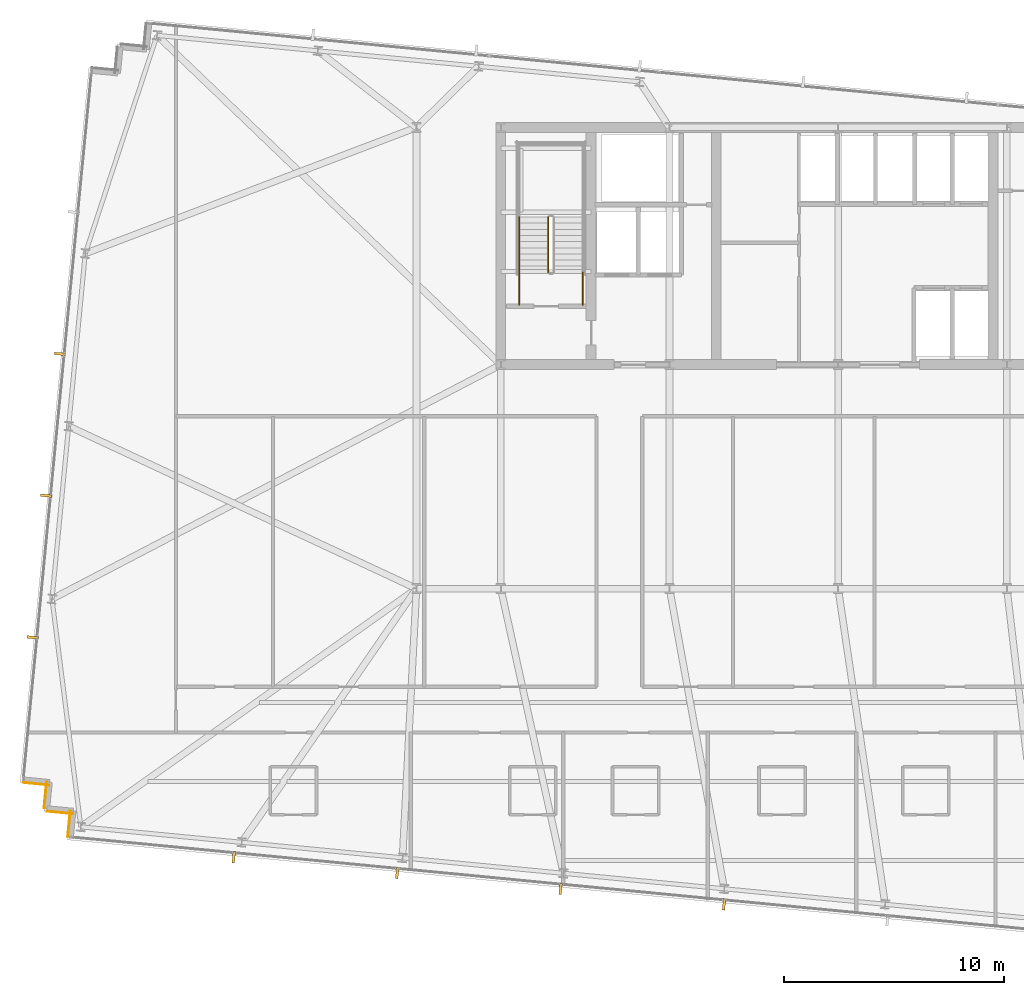
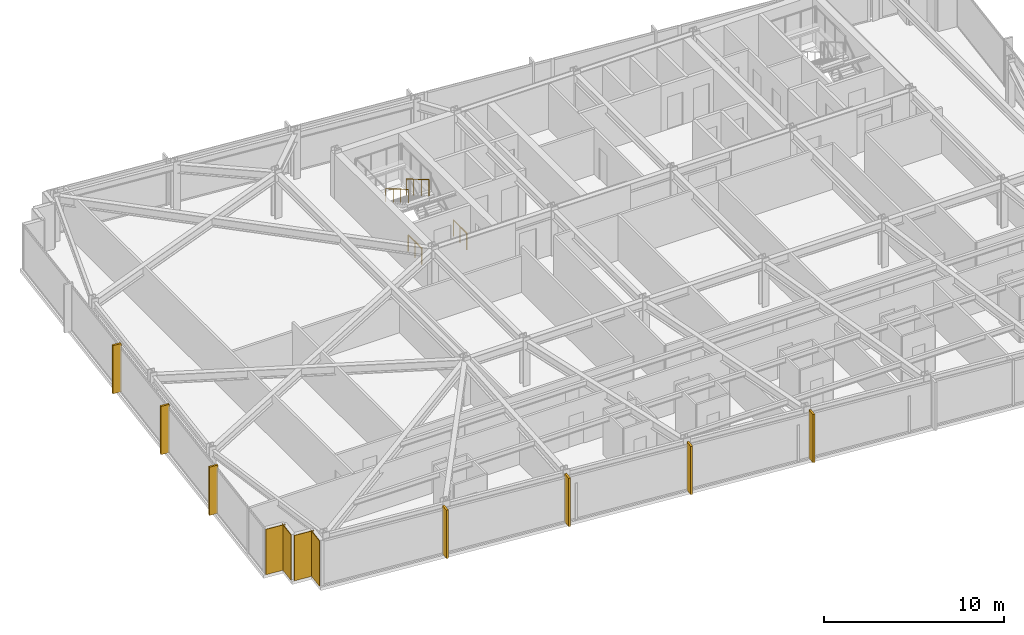
# One storey, part 32 of 36: 7 shading devices, 4 coverings, 4 railings.
"""IFC4 building model written with IfcOpenShell, lengths in metres."""

from ifc_helpers import new_model, si_unit, direction, frame, frame_2d, origin, origin_2d, place, context, subcontext, project, spatial, rectangle, circle, extrude, material, layer, layer_set, type_object, element, save


model = new_model("IFC4")

# Units and contexts
model_context = context("Model", 3, precision=1e-05, world=origin(), true_north=direction((0.0, 1.0)))
body_context = subcontext(model_context, "Body", "Model", "MODEL_VIEW")
ifc_project = project(units=[si_unit("LENGTHUNIT", "METRE"), si_unit("AREAUNIT", "SQUARE_METRE"), si_unit("VOLUMEUNIT", "CUBIC_METRE"), si_unit("PLANEANGLEUNIT", "RADIAN"), si_unit("MASSUNIT", "GRAM", prefix="KILO")], contexts=[model_context])

# Site, building, storey
site_placement = place(None, origin())
site = spatial("IfcSite", under=ifc_project, at=site_placement, CompositionType="ELEMENT")
building_placement = place(site_placement, origin())
building = spatial("IfcBuilding", under=site, at=building_placement, Name="Yelkora Congress Tower", CompositionType="ELEMENT")
storey_placement = place(building_placement, frame((0.0, 0.0, 152.300048828125)))
storey = spatial("IfcBuildingStorey", under=building, at=storey_placement, Name="L41", CompositionType="ELEMENT", Elevation=152.300048828125)

# Coverings
ifc_material_1 = material(Name="Anatolian bush-hammered limestone", Category="masonry")
ifc_layer_1 = layer(ifc_material_1, 0.0400390625)
ifc_layer_set_1 = layer_set([ifc_layer_1], Name="Anatolian bush-hammered limestone")
covering_type = type_object("IfcCoveringType", Name="COV-CLAD-SPANDREL-40", PredefinedType="CLADDING", material=ifc_layer_set_1)
covering_1_placement = place(storey_placement, frame((3.327880859375, 13.90185546875, 0.0), z_axis=(0.0, 0.0, 1.0), x_axis=(0.095817067274, 0.995398960025, 0.0)))
element("IfcCovering", 1, at=covering_1_placement, inside=storey, type_object=covering_type, Name="L41 Anatolian Limestone Cladding EW-L41-SR01", PredefinedType="CLADDING", context=body_context, shape_type="SweptSolid", body=[
    extrude(rectangle(XDim=1.2001953125, YDim=0.0400390625, at=frame_2d((0.60009765625, 0.0))), origin(), (0.0, 0.0, 1.0), 3.079833984375),
])
covering_2_placement = place(storey_placement, frame((3.564208984375, 14.94921875, 0.0), z_axis=(0.0, 0.0, 1.0), x_axis=(-0.995397091755, 0.095836473879, 0.0)))
element("IfcCovering", 2, at=covering_2_placement, inside=storey, type_object=covering_type, Name="L41 Anatolian Limestone Cladding EW-L41-SR02", PredefinedType="CLADDING", context=body_context, shape_type="SweptSolid", body=[
    extrude(rectangle(XDim=1.199951171875, YDim=0.0400390625, at=frame_2d((0.60009765625, 0.0))), origin(), (0.0, 0.0, 1.0), 3.079833984375),
])
for number, where, z_axis, x_axis, name in (
    (3, (2.248291015625, 15.21142578125, 0.0), (0.0, 0.0, 1.0), (0.095817067274, 0.995398960025, 0.0), "L41 Anatolian Limestone Cladding EW-L41-SR03"),
    (4, (2.48486328125, 16.258544921875, 0.0), (0.0, 0.0, 1.0), (-0.995398960025, 0.095817067274, 0.0), "L41 Anatolian Limestone Cladding EW-L41-SR04"),
):
    element("IfcCovering", number, at=place(storey_placement, frame(where, z_axis=z_axis, x_axis=x_axis)), inside=storey, type_object=covering_type, Name=name, PredefinedType="CLADDING", context=body_context, shape_type="SweptSolid", body=[
        extrude(rectangle(XDim=1.2001953125, YDim=0.0400390625, at=frame_2d((0.60009765625, 0.0))), origin(), (0.0, 0.0, 1.0), 3.079833984375),
    ])

# Railings
ifc_material_2 = material(Name="Painted galvanised steel stair well guard with vertical infill", Category="steel")
ifc_layer_2 = layer(ifc_material_2, 0.06005859375)
ifc_layer_set_2 = layer_set([ifc_layer_2], Name="Painted galvanised steel stair well guard with vertical infill")
railing_type_1 = type_object("IfcRailingType", Name="RAIL-STAIR-GUARD-1120", PredefinedType="GUARDRAIL", material=ifc_layer_set_2)
railing_1_placement = place(storey_placement, frame((25.18994140625, 42.1201171875, 1.81494140625)))
element("IfcRailing", 5, at=railing_1_placement, inside=storey, type_object=railing_type_1, Name="ST-01 L41 Stair Well Guardrail 6", PredefinedType="GUARDRAIL", context=body_context, shape_type="SweptSolid", body=[
    extrude(circle(Radius=0.02392578125, at=origin_2d()), frame((0.0, 0.0, 1.09619140625), z_axis=(0.0, -0.86152411907, 0.507716645641), x_axis=(1.0, 0.0, 0.0)), (0.0, 0.0, 1.0), 2.925048828125),
    extrude(circle(Radius=0.02099609375, at=origin_2d()), origin(), (0.0, 0.0, 1.0), 1.072021484375),
    extrude(circle(Radius=0.02099609375, at=origin_2d()), frame((0.0, -0.840087890625, 0.4951171875)), (0.0, 0.0, 1.0), 1.072021484375),
    extrude(circle(Radius=0.02099609375, at=origin_2d()), frame((0.0, -1.679931640625, 0.989990234375)), (0.0, 0.0, 1.0), 1.072021484375),
    extrude(circle(Radius=0.02099609375, at=origin_2d()), frame((0.0, -2.52001953125, 1.485107421875)), (0.0, 0.0, 1.0), 1.072021484375),
])
for number, where, name in (
    (6, (26.77001953125, 38.1201171875, 0.0), "ST-01 L41 Stair Well Guardrail 8"),
    (7, (23.8701171875, 38.1201171875, 0.0), "ST-01 L41 Stair Well Guardrail 9"),
):
    element("IfcRailing", number, at=place(storey_placement, frame(where)), inside=storey, type_object=railing_type_1, Name=name, PredefinedType="GUARDRAIL", context=body_context, shape_type="SweptSolid", body=[
        extrude(circle(Radius=0.02392578125, at=origin_2d()), frame((0.0, 0.0, 1.09619140625), z_axis=(0.0, 1.0, 0.0), x_axis=(-1.0, 0.0, 0.0)), (0.0, 0.0, 1.0), 1.47998046875),
        extrude(circle(Radius=0.02099609375, at=origin_2d()), origin(), (0.0, 0.0, 1.0), 1.072021484375),
        extrude(circle(Radius=0.02099609375, at=origin_2d()), frame((0.0, 0.739990234375, 0.0)), (0.0, 0.0, 1.0), 1.072021484375),
        extrude(circle(Radius=0.02099609375, at=origin_2d()), frame((0.0, 1.47998046875, 0.0)), (0.0, 0.0, 1.0), 1.072021484375),
    ])
ifc_material_3 = material(Name="Brushed stainless steel tubular handrail", Category="steel")
ifc_layer_3 = layer(ifc_material_3, 0.050048828125)
ifc_layer_set_3 = layer_set([ifc_layer_3], Name="Brushed stainless steel tubular handrail")
railing_type_2 = type_object("IfcRailingType", Name="RAIL-STAIR-HAND-920", PredefinedType="HANDRAIL", material=ifc_layer_set_3)
railing_2_placement = place(storey_placement, frame((23.8701171875, 42.1201171875, 1.81494140625)))
element("IfcRailing", 8, at=railing_2_placement, inside=storey, type_object=railing_type_2, Name="ST-01 L41 Pitch Handrail 2", PredefinedType="HANDRAIL", context=body_context, shape_type="SweptSolid", body=[
    extrude(circle(Radius=0.02392578125, at=origin_2d()), frame((0.0, 0.0, 0.89599609375), z_axis=(0.0, -0.86152411907, 0.507716645641), x_axis=(1.0, 0.0, 0.0)), (0.0, 0.0, 1.0), 2.925048828125),
    extrude(circle(Radius=0.02099609375, at=origin_2d()), origin(), (0.0, 0.0, 1.0), 0.871826171875),
    extrude(circle(Radius=0.02099609375, at=origin_2d()), frame((0.0, -0.840087890625, 0.4951171875)), (0.0, 0.0, 1.0), 0.871826171875),
    extrude(circle(Radius=0.02099609375, at=origin_2d()), frame((0.0, -1.679931640625, 0.989990234375)), (0.0, 0.0, 1.0), 0.871826171875),
    extrude(circle(Radius=0.02099609375, at=origin_2d()), frame((0.0, -2.52001953125, 1.485107421875)), (0.0, 0.0, 1.0), 0.871826171875),
])

# Shading devices
ifc_material_4 = material(Name="Champagne anodised aluminium", Category="aluminium")
ifc_layer_4 = layer(ifc_material_4, 3.300048828125)
ifc_layer_set_4 = layer_set([ifc_layer_4], Name="Champagne anodised aluminium")
shading_device_type = type_object("IfcShadingDeviceType", Name="SHD-FIN-ALU-520", PredefinedType="USERDEFINED", material=ifc_layer_set_4)
for number, where, z_axis, x_axis, name in (
    (9, (1.7255859375, 22.981201171875, -0.0302734375), (0.0, 0.0, 1.0), (0.09584575252, 0.995396198367, 0.0), "L41 Vertical Anodised Solar Fin 5-1"),
    (10, (2.34716796875, 29.435302734375, -0.0302734375), (0.0, 0.0, 1.0), (0.09584575252, 0.995396198367, 0.0), "L41 Vertical Anodised Solar Fin 5-2"),
    (11, (2.968505859375, 35.889404296875, -0.0302734375), (0.0, 0.0, 1.0), (0.09584575252, 0.995396198367, 0.0), "L41 Vertical Anodised Solar Fin 5-3"),
    (12, (33.202392578125, 10.82421875, -0.0302734375), (0.0, 0.0, 1.0), (-0.995396198367, 0.09584575252, 0.0), "L41 Vertical Anodised Solar Fin 20-3"),
    (13, (25.7626953125, 11.540771484375, -0.0302734375), (0.0, 0.0, 1.0), (-0.995396198367, 0.09584575252, 0.0), "L41 Vertical Anodised Solar Fin 20-4"),
    (14, (18.32275390625, 12.257080078125, -0.0302734375), (0.0, 0.0, 1.0), (-0.995396198367, 0.09584575252, 0.0), "L41 Vertical Anodised Solar Fin 20-5"),
    (15, (10.8828125, 12.973388671875, -0.0302734375), (0.0, 0.0, 1.0), (-0.995396198367, 0.09584575252, 0.0), "L41 Vertical Anodised Solar Fin 20-6"),
):
    element("IfcShadingDevice", number, at=place(storey_placement, frame(where, z_axis=z_axis, x_axis=x_axis)), inside=storey, type_object=shading_device_type, Name=name, ObjectType="FIN", PredefinedType="USERDEFINED", context=body_context, shape_type="SweptSolid", body=[
        extrude(rectangle(XDim=0.1201171875, YDim=0.52001953125, at=origin_2d()), origin(), (0.0, 0.0, 1.0), 3.280029296875),
    ])

save(model, "model.ifc")
